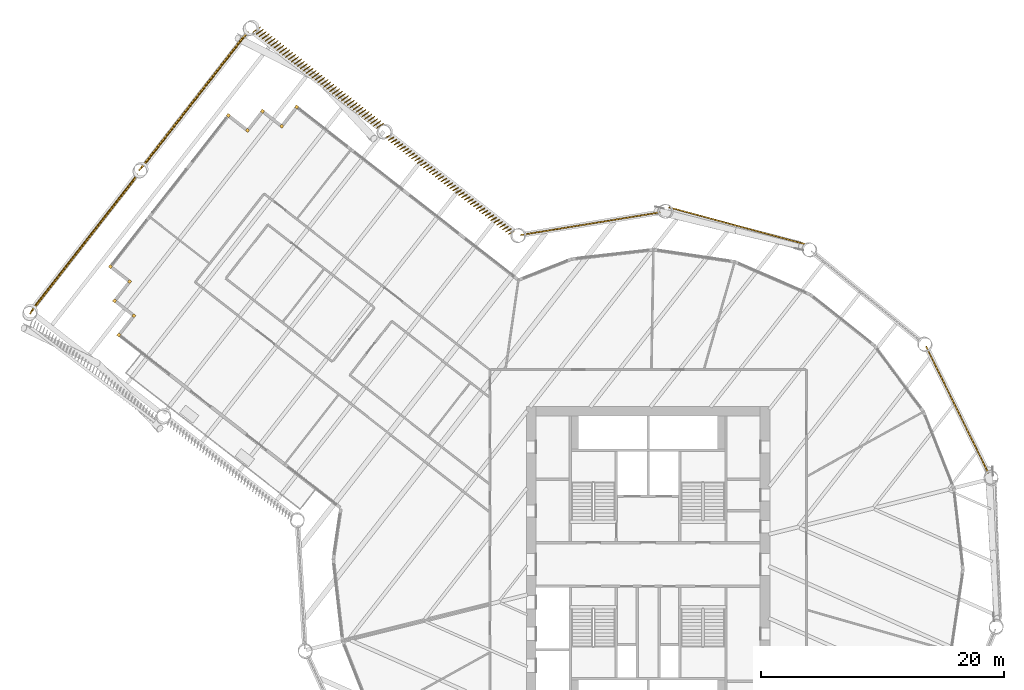
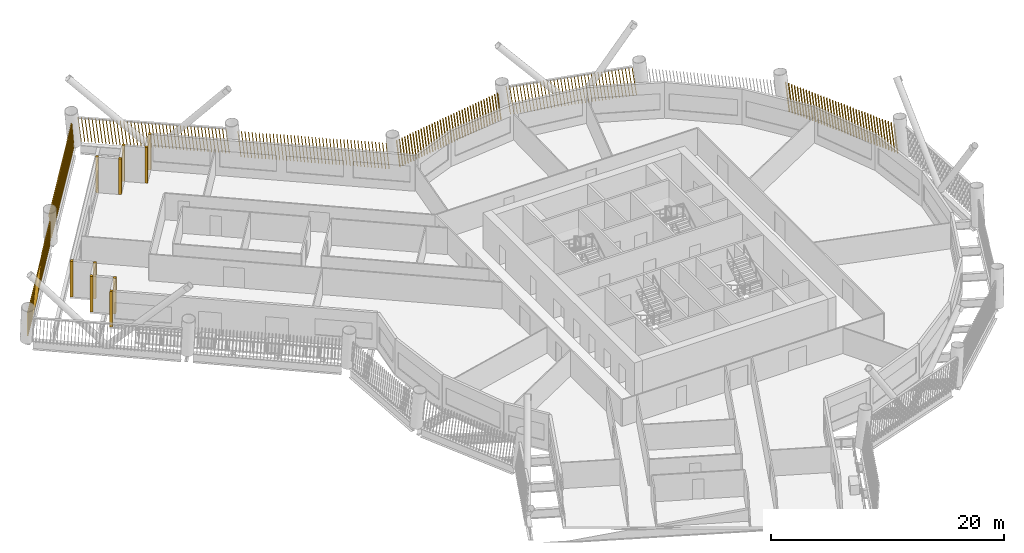
# One storey, part 20 of 22: 17 shading devices.
"""IFC4 building model written with IfcOpenShell, lengths in metres."""

from ifc_helpers import new_model, si_unit, direction, frame, frame_2d, origin, origin_2d, place, context, subcontext, project, spatial, rectangle, composite_profile, extrude, material, type_object, element, save


model = new_model("IFC4")

# Units and contexts
model_context = context("Model", 3, precision=1e-05, world=origin(), true_north=direction((0.0, 1.0)))
body_context = subcontext(model_context, "Body", "Model", "MODEL_VIEW")
ifc_project = project(units=[si_unit("LENGTHUNIT", "METRE"), si_unit("AREAUNIT", "SQUARE_METRE"), si_unit("VOLUMEUNIT", "CUBIC_METRE"), si_unit("PLANEANGLEUNIT", "RADIAN"), si_unit("MASSUNIT", "GRAM", prefix="KILO")], contexts=[model_context])

# Site, building, storey
site_placement = place(None, origin())
site = spatial("IfcSite", under=ifc_project, at=site_placement, CompositionType="ELEMENT")
building_placement = place(site_placement, origin())
building = spatial("IfcBuilding", under=site, at=building_placement, Name="Tarsis Ring Headquarters", CompositionType="ELEMENT")
storey_placement = place(building_placement, frame((0.0, 0.0, 116.199951171875)))
storey = spatial("IfcBuildingStorey", under=building, at=storey_placement, Name="L26", CompositionType="ELEMENT", Elevation=116.199951171875)

# Shading devices
ifc_material = material(Name="Terracotta baguette", Category="masonry")
shading_device_type_1 = type_object("IfcShadingDeviceType", Name="Terracotta baguette screen", PredefinedType="USERDEFINED", material=ifc_material)
shading_device_1_placement = place(storey_placement, frame((27.9599609375, 7.495849609375, 0.0), z_axis=(0.0, 0.0, 1.0), x_axis=(-0.441692892024, 0.897167661422, 0.0)))
element("IfcShadingDevice", 1, at=shading_device_1_placement, inside=storey, type_object=shading_device_type_1, Name="Baguette screen L26-11", ObjectType="Terracotta baguette screen", PredefinedType="USERDEFINED", context=body_context, shape_type="SweptSolid", body=[
    extrude(composite_profile([rectangle(XDim=0.06005859375, YDim=0.1201171875, at=frame_2d((0.030029296875, 0.0))), rectangle(XDim=0.06005859375, YDim=0.1201171875, at=frame_2d((0.33251953125, 0.0))), rectangle(XDim=0.06005859375, YDim=0.1201171875, at=frame_2d((0.634765625, 0.0))), rectangle(XDim=0.06005859375, YDim=0.1201171875, at=frame_2d((0.937255859375, 0.0))), rectangle(XDim=0.06005859375, YDim=0.1201171875, at=frame_2d((1.239501953125, 0.0))), rectangle(XDim=0.06005859375, YDim=0.1201171875, at=frame_2d((1.5419921875, 0.0))), rectangle(XDim=0.06005859375, YDim=0.1201171875, at=frame_2d((1.844482421875, 0.0))), rectangle(XDim=0.06005859375, YDim=0.1201171875, at=frame_2d((2.146728515625, 0.0))), rectangle(XDim=0.06005859375, YDim=0.1201171875, at=frame_2d((2.44921875, 0.0))), rectangle(XDim=0.06005859375, YDim=0.1201171875, at=frame_2d((2.751708984375, 0.0))), rectangle(XDim=0.06005859375, YDim=0.1201171875, at=frame_2d((3.053955078125, 0.0))), rectangle(XDim=0.06005859375, YDim=0.1201171875, at=frame_2d((3.3564453125, 0.0))), rectangle(XDim=0.06005859375, YDim=0.1201171875, at=frame_2d((3.65869140625, 0.0))), rectangle(XDim=0.06005859375, YDim=0.1201171875, at=frame_2d((3.961181640625, 0.0))), rectangle(XDim=0.06005859375, YDim=0.1201171875, at=frame_2d((4.263671875, 0.0))), rectangle(XDim=0.06005859375, YDim=0.1201171875, at=frame_2d((4.56591796875, 0.0))), rectangle(XDim=0.06005859375, YDim=0.1201171875, at=frame_2d((4.868408203125, 0.0))), rectangle(XDim=0.06005859375, YDim=0.1201171875, at=frame_2d((5.1708984375, 0.0))), rectangle(XDim=0.06005859375, YDim=0.1201171875, at=frame_2d((5.47314453125, 0.0))), rectangle(XDim=0.06005859375, YDim=0.1201171875, at=frame_2d((5.775634765625, 0.0))), rectangle(XDim=0.06005859375, YDim=0.1201171875, at=frame_2d((6.077880859375, 0.0))), rectangle(XDim=0.06005859375, YDim=0.1201171875, at=frame_2d((6.38037109375, 0.0))), rectangle(XDim=0.06005859375, YDim=0.1201171875, at=frame_2d((6.682861328125, 0.0))), rectangle(XDim=0.06005859375, YDim=0.1201171875, at=frame_2d((6.985107421875, 0.0))), rectangle(XDim=0.06005859375, YDim=0.1201171875, at=frame_2d((7.28759765625, 0.0))), rectangle(XDim=0.06005859375, YDim=0.1201171875, at=frame_2d((7.590087890625, 0.0))), rectangle(XDim=0.06005859375, YDim=0.1201171875, at=frame_2d((7.892333984375, 0.0))), rectangle(XDim=0.06005859375, YDim=0.1201171875, at=frame_2d((8.19482421875, 0.0))), rectangle(XDim=0.06005859375, YDim=0.1201171875, at=frame_2d((8.4970703125, 0.0))), rectangle(XDim=0.06005859375, YDim=0.1201171875, at=frame_2d((8.799560546875, 0.0))), rectangle(XDim=0.06005859375, YDim=0.1201171875, at=frame_2d((9.10205078125, 0.0))), rectangle(XDim=0.06005859375, YDim=0.1201171875, at=frame_2d((9.404296875, 0.0))), rectangle(XDim=0.06005859375, YDim=0.1201171875, at=frame_2d((9.706787109375, 0.0))), rectangle(XDim=0.06005859375, YDim=0.1201171875, at=frame_2d((10.00927734375, 0.0))), rectangle(XDim=0.06005859375, YDim=0.1201171875, at=frame_2d((10.3115234375, 0.0))), rectangle(XDim=0.06005859375, YDim=0.1201171875, at=frame_2d((10.614013671875, 0.0))), rectangle(XDim=0.06005859375, YDim=0.1201171875, at=frame_2d((10.916259765625, 0.0))), rectangle(XDim=0.06005859375, YDim=0.1201171875, at=frame_2d((11.21875, 0.0)))]), origin(), (0.129810502539, 0.000881944064, 0.991538428708), 2.977783203125),
])
shading_device_2_placement = place(storey_placement, frame((12.9267578125, 26.31103515625, 0.0), z_axis=(0.0, 0.0, 1.0), x_axis=(-0.965447639718, 0.260575149213, 0.0)))
element("IfcShadingDevice", 2, at=shading_device_2_placement, inside=storey, type_object=shading_device_type_1, Name="Baguette screen L26-13", ObjectType="Terracotta baguette screen", PredefinedType="USERDEFINED", context=body_context, shape_type="SweptSolid", body=[
    extrude(composite_profile([rectangle(XDim=0.06005859375, YDim=0.1201171875, at=frame_2d((0.030029296875, 0.0))), rectangle(XDim=0.06005859375, YDim=0.1201171875, at=frame_2d((0.33251953125, 0.0))), rectangle(XDim=0.06005859375, YDim=0.1201171875, at=frame_2d((0.634765625, 0.0))), rectangle(XDim=0.06005859375, YDim=0.1201171875, at=frame_2d((0.937255859375, 0.0))), rectangle(XDim=0.06005859375, YDim=0.1201171875, at=frame_2d((1.239501953125, 0.0))), rectangle(XDim=0.06005859375, YDim=0.1201171875, at=frame_2d((1.5419921875, 0.0))), rectangle(XDim=0.06005859375, YDim=0.1201171875, at=frame_2d((1.844482421875, 0.0))), rectangle(XDim=0.06005859375, YDim=0.1201171875, at=frame_2d((2.146728515625, 0.0))), rectangle(XDim=0.06005859375, YDim=0.1201171875, at=frame_2d((2.44921875, 0.0))), rectangle(XDim=0.06005859375, YDim=0.1201171875, at=frame_2d((2.751708984375, 0.0))), rectangle(XDim=0.06005859375, YDim=0.1201171875, at=frame_2d((3.053955078125, 0.0))), rectangle(XDim=0.06005859375, YDim=0.1201171875, at=frame_2d((3.3564453125, 0.0))), rectangle(XDim=0.06005859375, YDim=0.1201171875, at=frame_2d((3.65869140625, 0.0))), rectangle(XDim=0.06005859375, YDim=0.1201171875, at=frame_2d((3.961181640625, 0.0))), rectangle(XDim=0.06005859375, YDim=0.1201171875, at=frame_2d((4.263671875, 0.0))), rectangle(XDim=0.06005859375, YDim=0.1201171875, at=frame_2d((4.56591796875, 0.0))), rectangle(XDim=0.06005859375, YDim=0.1201171875, at=frame_2d((4.868408203125, 0.0))), rectangle(XDim=0.06005859375, YDim=0.1201171875, at=frame_2d((5.1708984375, 0.0))), rectangle(XDim=0.06005859375, YDim=0.1201171875, at=frame_2d((5.47314453125, 0.0))), rectangle(XDim=0.06005859375, YDim=0.1201171875, at=frame_2d((5.775634765625, 0.0))), rectangle(XDim=0.06005859375, YDim=0.1201171875, at=frame_2d((6.077880859375, 0.0))), rectangle(XDim=0.06005859375, YDim=0.1201171875, at=frame_2d((6.38037109375, 0.0))), rectangle(XDim=0.06005859375, YDim=0.1201171875, at=frame_2d((6.682861328125, 0.0))), rectangle(XDim=0.06005859375, YDim=0.1201171875, at=frame_2d((6.985107421875, 0.0))), rectangle(XDim=0.06005859375, YDim=0.1201171875, at=frame_2d((7.28759765625, 0.0))), rectangle(XDim=0.06005859375, YDim=0.1201171875, at=frame_2d((7.590087890625, 0.0))), rectangle(XDim=0.06005859375, YDim=0.1201171875, at=frame_2d((7.892333984375, 0.0))), rectangle(XDim=0.06005859375, YDim=0.1201171875, at=frame_2d((8.19482421875, 0.0))), rectangle(XDim=0.06005859375, YDim=0.1201171875, at=frame_2d((8.4970703125, 0.0))), rectangle(XDim=0.06005859375, YDim=0.1201171875, at=frame_2d((8.799560546875, 0.0))), rectangle(XDim=0.06005859375, YDim=0.1201171875, at=frame_2d((9.10205078125, 0.0))), rectangle(XDim=0.06005859375, YDim=0.1201171875, at=frame_2d((9.404296875, 0.0))), rectangle(XDim=0.06005859375, YDim=0.1201171875, at=frame_2d((9.706787109375, 0.0))), rectangle(XDim=0.06005859375, YDim=0.1201171875, at=frame_2d((10.00927734375, 0.0))), rectangle(XDim=0.06005859375, YDim=0.1201171875, at=frame_2d((10.3115234375, 0.0))), rectangle(XDim=0.06005859375, YDim=0.1201171875, at=frame_2d((10.614013671875, 0.0))), rectangle(XDim=0.06005859375, YDim=0.1201171875, at=frame_2d((10.916259765625, 0.0))), rectangle(XDim=0.06005859375, YDim=0.1201171875, at=frame_2d((11.21875, 0.0)))]), origin(), (0.131494198684, 0.000896455806, 0.991316534755), 2.978515625),
])
shading_device_3_placement = place(storey_placement, frame((0.99267578125, 28.93017578125, 0.0), z_axis=(0.0, 0.0, 1.0), x_axis=(-0.987021442834, -0.160539109298, 0.0)))
element("IfcShadingDevice", 3, at=shading_device_3_placement, inside=storey, type_object=shading_device_type_1, Name="Baguette screen L26-14", ObjectType="Terracotta baguette screen", PredefinedType="USERDEFINED", context=body_context, shape_type="SweptSolid", body=[
    extrude(composite_profile([rectangle(XDim=0.06005859375, YDim=0.1201171875, at=frame_2d((0.030029296875, 0.0))), rectangle(XDim=0.06005859375, YDim=0.1201171875, at=frame_2d((0.33251953125, 0.0))), rectangle(XDim=0.06005859375, YDim=0.1201171875, at=frame_2d((0.634765625, 0.0))), rectangle(XDim=0.06005859375, YDim=0.1201171875, at=frame_2d((0.937255859375, 0.0))), rectangle(XDim=0.06005859375, YDim=0.1201171875, at=frame_2d((1.239501953125, 0.0))), rectangle(XDim=0.06005859375, YDim=0.1201171875, at=frame_2d((1.5419921875, 0.0))), rectangle(XDim=0.06005859375, YDim=0.1201171875, at=frame_2d((1.844482421875, 0.0))), rectangle(XDim=0.06005859375, YDim=0.1201171875, at=frame_2d((2.146728515625, 0.0))), rectangle(XDim=0.06005859375, YDim=0.1201171875, at=frame_2d((2.44921875, 0.0))), rectangle(XDim=0.06005859375, YDim=0.1201171875, at=frame_2d((2.751708984375, 0.0))), rectangle(XDim=0.06005859375, YDim=0.1201171875, at=frame_2d((3.053955078125, 0.0))), rectangle(XDim=0.06005859375, YDim=0.1201171875, at=frame_2d((3.3564453125, 0.0))), rectangle(XDim=0.06005859375, YDim=0.1201171875, at=frame_2d((3.65869140625, 0.0))), rectangle(XDim=0.06005859375, YDim=0.1201171875, at=frame_2d((3.961181640625, 0.0))), rectangle(XDim=0.06005859375, YDim=0.1201171875, at=frame_2d((4.263671875, 0.0))), rectangle(XDim=0.06005859375, YDim=0.1201171875, at=frame_2d((4.56591796875, 0.0))), rectangle(XDim=0.06005859375, YDim=0.1201171875, at=frame_2d((4.868408203125, 0.0))), rectangle(XDim=0.06005859375, YDim=0.1201171875, at=frame_2d((5.1708984375, 0.0))), rectangle(XDim=0.06005859375, YDim=0.1201171875, at=frame_2d((5.47314453125, 0.0))), rectangle(XDim=0.06005859375, YDim=0.1201171875, at=frame_2d((5.775634765625, 0.0))), rectangle(XDim=0.06005859375, YDim=0.1201171875, at=frame_2d((6.077880859375, 0.0))), rectangle(XDim=0.06005859375, YDim=0.1201171875, at=frame_2d((6.38037109375, 0.0))), rectangle(XDim=0.06005859375, YDim=0.1201171875, at=frame_2d((6.682861328125, 0.0))), rectangle(XDim=0.06005859375, YDim=0.1201171875, at=frame_2d((6.985107421875, 0.0))), rectangle(XDim=0.06005859375, YDim=0.1201171875, at=frame_2d((7.28759765625, 0.0))), rectangle(XDim=0.06005859375, YDim=0.1201171875, at=frame_2d((7.590087890625, 0.0))), rectangle(XDim=0.06005859375, YDim=0.1201171875, at=frame_2d((7.892333984375, 0.0))), rectangle(XDim=0.06005859375, YDim=0.1201171875, at=frame_2d((8.19482421875, 0.0))), rectangle(XDim=0.06005859375, YDim=0.1201171875, at=frame_2d((8.4970703125, 0.0))), rectangle(XDim=0.06005859375, YDim=0.1201171875, at=frame_2d((8.799560546875, 0.0))), rectangle(XDim=0.06005859375, YDim=0.1201171875, at=frame_2d((9.10205078125, 0.0))), rectangle(XDim=0.06005859375, YDim=0.1201171875, at=frame_2d((9.404296875, 0.0))), rectangle(XDim=0.06005859375, YDim=0.1201171875, at=frame_2d((9.706787109375, 0.0))), rectangle(XDim=0.06005859375, YDim=0.1201171875, at=frame_2d((10.00927734375, 0.0))), rectangle(XDim=0.06005859375, YDim=0.1201171875, at=frame_2d((10.3115234375, 0.0))), rectangle(XDim=0.06005859375, YDim=0.1201171875, at=frame_2d((10.614013671875, 0.0))), rectangle(XDim=0.06005859375, YDim=0.1201171875, at=frame_2d((10.916259765625, 0.0))), rectangle(XDim=0.06005859375, YDim=0.1201171875, at=frame_2d((11.21875, 0.0)))]), origin(), (0.1298090794, 0.000884807505, 0.991538612471), 2.977783203125),
])
shading_device_4_placement = place(storey_placement, frame((-10.998046875, 27.3515625, 0.0), z_axis=(0.0, 0.0, 1.0), x_axis=(-0.788445890968, 0.615115332942, 0.0)))
element("IfcShadingDevice", 4, at=shading_device_4_placement, inside=storey, type_object=shading_device_type_1, Name="Baguette screen L26-15", ObjectType="Terracotta baguette screen", PredefinedType="USERDEFINED", context=body_context, shape_type="SweptSolid", body=[
    extrude(composite_profile([rectangle(XDim=0.06005859375, YDim=0.1201171875, at=frame_2d((0.030029296875, 0.0))), rectangle(XDim=0.06005859375, YDim=0.1201171875, at=frame_2d((0.335693359375, 0.0))), rectangle(XDim=0.06005859375, YDim=0.1201171875, at=frame_2d((0.6416015625, 0.0))), rectangle(XDim=0.06005859375, YDim=0.1201171875, at=frame_2d((0.947265625, 0.0))), rectangle(XDim=0.06005859375, YDim=0.1201171875, at=frame_2d((1.253173828125, 0.0))), rectangle(XDim=0.06005859375, YDim=0.1201171875, at=frame_2d((1.558837890625, 0.0))), rectangle(XDim=0.06005859375, YDim=0.1201171875, at=frame_2d((1.864501953125, 0.0))), rectangle(XDim=0.06005859375, YDim=0.1201171875, at=frame_2d((2.17041015625, 0.0))), rectangle(XDim=0.06005859375, YDim=0.1201171875, at=frame_2d((2.47607421875, 0.0))), rectangle(XDim=0.06005859375, YDim=0.1201171875, at=frame_2d((2.781982421875, 0.0))), rectangle(XDim=0.06005859375, YDim=0.1201171875, at=frame_2d((3.087646484375, 0.0))), rectangle(XDim=0.06005859375, YDim=0.1201171875, at=frame_2d((3.393310546875, 0.0))), rectangle(XDim=0.06005859375, YDim=0.1201171875, at=frame_2d((3.69921875, 0.0))), rectangle(XDim=0.06005859375, YDim=0.1201171875, at=frame_2d((4.0048828125, 0.0))), rectangle(XDim=0.06005859375, YDim=0.1201171875, at=frame_2d((4.310791015625, 0.0))), rectangle(XDim=0.06005859375, YDim=0.1201171875, at=frame_2d((4.616455078125, 0.0))), rectangle(XDim=0.06005859375, YDim=0.1201171875, at=frame_2d((4.922119140625, 0.0))), rectangle(XDim=0.06005859375, YDim=0.1201171875, at=frame_2d((5.22802734375, 0.0))), rectangle(XDim=0.06005859375, YDim=0.1201171875, at=frame_2d((5.53369140625, 0.0))), rectangle(XDim=0.06005859375, YDim=0.1201171875, at=frame_2d((5.839599609375, 0.0))), rectangle(XDim=0.06005859375, YDim=0.1201171875, at=frame_2d((6.145263671875, 0.0))), rectangle(XDim=0.06005859375, YDim=0.1201171875, at=frame_2d((6.451171875, 0.0))), rectangle(XDim=0.06005859375, YDim=0.1201171875, at=frame_2d((6.7568359375, 0.0))), rectangle(XDim=0.06005859375, YDim=0.1201171875, at=frame_2d((7.0625, 0.0))), rectangle(XDim=0.06005859375, YDim=0.1201171875, at=frame_2d((7.368408203125, 0.0))), rectangle(XDim=0.06005859375, YDim=0.1201171875, at=frame_2d((7.674072265625, 0.0))), rectangle(XDim=0.06005859375, YDim=0.1201171875, at=frame_2d((7.97998046875, 0.0))), rectangle(XDim=0.06005859375, YDim=0.1201171875, at=frame_2d((8.28564453125, 0.0))), rectangle(XDim=0.06005859375, YDim=0.1201171875, at=frame_2d((8.59130859375, 0.0))), rectangle(XDim=0.06005859375, YDim=0.1201171875, at=frame_2d((8.897216796875, 0.0))), rectangle(XDim=0.06005859375, YDim=0.1201171875, at=frame_2d((9.202880859375, 0.0))), rectangle(XDim=0.06005859375, YDim=0.1201171875, at=frame_2d((9.5087890625, 0.0))), rectangle(XDim=0.06005859375, YDim=0.1201171875, at=frame_2d((9.814453125, 0.0))), rectangle(XDim=0.06005859375, YDim=0.1201171875, at=frame_2d((10.1201171875, 0.0))), rectangle(XDim=0.06005859375, YDim=0.1201171875, at=frame_2d((10.426025390625, 0.0))), rectangle(XDim=0.06005859375, YDim=0.1201171875, at=frame_2d((10.731689453125, 0.0))), rectangle(XDim=0.06005859375, YDim=0.1201171875, at=frame_2d((11.03759765625, 0.0))), rectangle(XDim=0.06005859375, YDim=0.1201171875, at=frame_2d((11.34326171875, 0.0))), rectangle(XDim=0.06005859375, YDim=0.1201171875, at=frame_2d((11.64892578125, 0.0))), rectangle(XDim=0.06005859375, YDim=0.1201171875, at=frame_2d((11.954833984375, 0.0))), rectangle(XDim=0.06005859375, YDim=0.1201171875, at=frame_2d((12.260498046875, 0.0))), rectangle(XDim=0.06005859375, YDim=0.1201171875, at=frame_2d((12.56640625, 0.0))), rectangle(XDim=0.06005859375, YDim=0.1201171875, at=frame_2d((12.8720703125, 0.0)))]), origin(), (0.066364505285, 0.145846292379, 0.987078827368), 2.9912109375),
])
shading_device_5_placement = place(storey_placement, frame((-21.728515625, 36.198486328125, 0.0), z_axis=(0.0, 0.0, 1.0), x_axis=(-0.788430971844, 0.615122615804, 0.0)))
element("IfcShadingDevice", 5, at=shading_device_5_placement, inside=storey, type_object=shading_device_type_1, Name="Baguette screen L26-16", ObjectType="Terracotta baguette screen", PredefinedType="USERDEFINED", context=body_context, shape_type="SweptSolid", body=[
    extrude(composite_profile([rectangle(XDim=0.06005859375, YDim=0.1201171875, at=frame_2d((0.030029296875, 0.0))), rectangle(XDim=0.06005859375, YDim=0.1201171875, at=frame_2d((0.335693359375, 0.0))), rectangle(XDim=0.06005859375, YDim=0.1201171875, at=frame_2d((0.6416015625, 0.0))), rectangle(XDim=0.06005859375, YDim=0.1201171875, at=frame_2d((0.947265625, 0.0))), rectangle(XDim=0.06005859375, YDim=0.1201171875, at=frame_2d((1.253173828125, 0.0))), rectangle(XDim=0.06005859375, YDim=0.1201171875, at=frame_2d((1.558837890625, 0.0))), rectangle(XDim=0.06005859375, YDim=0.1201171875, at=frame_2d((1.864501953125, 0.0))), rectangle(XDim=0.06005859375, YDim=0.1201171875, at=frame_2d((2.17041015625, 0.0))), rectangle(XDim=0.06005859375, YDim=0.1201171875, at=frame_2d((2.47607421875, 0.0))), rectangle(XDim=0.06005859375, YDim=0.1201171875, at=frame_2d((2.781982421875, 0.0))), rectangle(XDim=0.06005859375, YDim=0.1201171875, at=frame_2d((3.087646484375, 0.0))), rectangle(XDim=0.06005859375, YDim=0.1201171875, at=frame_2d((3.393310546875, 0.0))), rectangle(XDim=0.06005859375, YDim=0.1201171875, at=frame_2d((3.69921875, 0.0))), rectangle(XDim=0.06005859375, YDim=0.1201171875, at=frame_2d((4.0048828125, 0.0))), rectangle(XDim=0.06005859375, YDim=0.1201171875, at=frame_2d((4.310791015625, 0.0))), rectangle(XDim=0.06005859375, YDim=0.1201171875, at=frame_2d((4.616455078125, 0.0))), rectangle(XDim=0.06005859375, YDim=0.1201171875, at=frame_2d((4.922119140625, 0.0))), rectangle(XDim=0.06005859375, YDim=0.1201171875, at=frame_2d((5.22802734375, 0.0))), rectangle(XDim=0.06005859375, YDim=0.1201171875, at=frame_2d((5.53369140625, 0.0))), rectangle(XDim=0.06005859375, YDim=0.1201171875, at=frame_2d((5.839599609375, 0.0))), rectangle(XDim=0.06005859375, YDim=0.1201171875, at=frame_2d((6.145263671875, 0.0))), rectangle(XDim=0.06005859375, YDim=0.1201171875, at=frame_2d((6.451171875, 0.0))), rectangle(XDim=0.06005859375, YDim=0.1201171875, at=frame_2d((6.7568359375, 0.0))), rectangle(XDim=0.06005859375, YDim=0.1201171875, at=frame_2d((7.0625, 0.0))), rectangle(XDim=0.06005859375, YDim=0.1201171875, at=frame_2d((7.368408203125, 0.0))), rectangle(XDim=0.06005859375, YDim=0.1201171875, at=frame_2d((7.674072265625, 0.0))), rectangle(XDim=0.06005859375, YDim=0.1201171875, at=frame_2d((7.97998046875, 0.0))), rectangle(XDim=0.06005859375, YDim=0.1201171875, at=frame_2d((8.28564453125, 0.0))), rectangle(XDim=0.06005859375, YDim=0.1201171875, at=frame_2d((8.59130859375, 0.0))), rectangle(XDim=0.06005859375, YDim=0.1201171875, at=frame_2d((8.897216796875, 0.0))), rectangle(XDim=0.06005859375, YDim=0.1201171875, at=frame_2d((9.202880859375, 0.0))), rectangle(XDim=0.06005859375, YDim=0.1201171875, at=frame_2d((9.5087890625, 0.0))), rectangle(XDim=0.06005859375, YDim=0.1201171875, at=frame_2d((9.814453125, 0.0))), rectangle(XDim=0.06005859375, YDim=0.1201171875, at=frame_2d((10.1201171875, 0.0))), rectangle(XDim=0.06005859375, YDim=0.1201171875, at=frame_2d((10.426025390625, 0.0))), rectangle(XDim=0.06005859375, YDim=0.1201171875, at=frame_2d((10.731689453125, 0.0))), rectangle(XDim=0.06005859375, YDim=0.1201171875, at=frame_2d((11.03759765625, 0.0))), rectangle(XDim=0.06005859375, YDim=0.1201171875, at=frame_2d((11.34326171875, 0.0))), rectangle(XDim=0.06005859375, YDim=0.1201171875, at=frame_2d((11.64892578125, 0.0))), rectangle(XDim=0.06005859375, YDim=0.1201171875, at=frame_2d((11.954833984375, 0.0))), rectangle(XDim=0.06005859375, YDim=0.1201171875, at=frame_2d((12.260498046875, 0.0))), rectangle(XDim=0.06005859375, YDim=0.1201171875, at=frame_2d((12.56640625, 0.0))), rectangle(XDim=0.06005859375, YDim=0.1201171875, at=frame_2d((12.8720703125, 0.0)))]), origin(), (0.066884258353, 0.206799050279, 0.976094590082), 3.02490234375),
])
shading_device_6_placement = place(storey_placement, frame((-32.83349609375, 43.752685546875, 0.0), z_axis=(0.0, 0.0, 1.0), x_axis=(-0.615108359133, -0.788447589562, 0.0)))
element("IfcShadingDevice", 6, at=shading_device_6_placement, inside=storey, type_object=shading_device_type_1, Name="Baguette screen L26-17", ObjectType="Terracotta baguette screen", PredefinedType="USERDEFINED", context=body_context, shape_type="SweptSolid", body=[
    extrude(composite_profile([rectangle(XDim=0.06005859375, YDim=0.1201171875, at=frame_2d((0.030029296875, 0.0))), rectangle(XDim=0.06005859375, YDim=0.1201171875, at=frame_2d((0.33544921875, 0.0))), rectangle(XDim=0.06005859375, YDim=0.1201171875, at=frame_2d((0.640625, 0.0))), rectangle(XDim=0.06005859375, YDim=0.1201171875, at=frame_2d((0.946044921875, 0.0))), rectangle(XDim=0.06005859375, YDim=0.1201171875, at=frame_2d((1.25146484375, 0.0))), rectangle(XDim=0.06005859375, YDim=0.1201171875, at=frame_2d((1.556640625, 0.0))), rectangle(XDim=0.06005859375, YDim=0.1201171875, at=frame_2d((1.862060546875, 0.0))), rectangle(XDim=0.06005859375, YDim=0.1201171875, at=frame_2d((2.16748046875, 0.0))), rectangle(XDim=0.06005859375, YDim=0.1201171875, at=frame_2d((2.47265625, 0.0))), rectangle(XDim=0.06005859375, YDim=0.1201171875, at=frame_2d((2.778076171875, 0.0))), rectangle(XDim=0.06005859375, YDim=0.1201171875, at=frame_2d((3.08349609375, 0.0))), rectangle(XDim=0.06005859375, YDim=0.1201171875, at=frame_2d((3.388671875, 0.0))), rectangle(XDim=0.06005859375, YDim=0.1201171875, at=frame_2d((3.694091796875, 0.0))), rectangle(XDim=0.06005859375, YDim=0.1201171875, at=frame_2d((3.99951171875, 0.0))), rectangle(XDim=0.06005859375, YDim=0.1201171875, at=frame_2d((4.3046875, 0.0))), rectangle(XDim=0.06005859375, YDim=0.1201171875, at=frame_2d((4.610107421875, 0.0))), rectangle(XDim=0.06005859375, YDim=0.1201171875, at=frame_2d((4.91552734375, 0.0))), rectangle(XDim=0.06005859375, YDim=0.1201171875, at=frame_2d((5.220703125, 0.0))), rectangle(XDim=0.06005859375, YDim=0.1201171875, at=frame_2d((5.526123046875, 0.0))), rectangle(XDim=0.06005859375, YDim=0.1201171875, at=frame_2d((5.83154296875, 0.0))), rectangle(XDim=0.06005859375, YDim=0.1201171875, at=frame_2d((6.13671875, 0.0))), rectangle(XDim=0.06005859375, YDim=0.1201171875, at=frame_2d((6.442138671875, 0.0))), rectangle(XDim=0.06005859375, YDim=0.1201171875, at=frame_2d((6.74755859375, 0.0))), rectangle(XDim=0.06005859375, YDim=0.1201171875, at=frame_2d((7.052734375, 0.0))), rectangle(XDim=0.06005859375, YDim=0.1201171875, at=frame_2d((7.358154296875, 0.0))), rectangle(XDim=0.06005859375, YDim=0.1201171875, at=frame_2d((7.66357421875, 0.0))), rectangle(XDim=0.06005859375, YDim=0.1201171875, at=frame_2d((7.96875, 0.0))), rectangle(XDim=0.06005859375, YDim=0.1201171875, at=frame_2d((8.274169921875, 0.0))), rectangle(XDim=0.06005859375, YDim=0.1201171875, at=frame_2d((8.57958984375, 0.0))), rectangle(XDim=0.06005859375, YDim=0.1201171875, at=frame_2d((8.884765625, 0.0))), rectangle(XDim=0.06005859375, YDim=0.1201171875, at=frame_2d((9.190185546875, 0.0))), rectangle(XDim=0.06005859375, YDim=0.1201171875, at=frame_2d((9.49560546875, 0.0))), rectangle(XDim=0.06005859375, YDim=0.1201171875, at=frame_2d((9.80078125, 0.0))), rectangle(XDim=0.06005859375, YDim=0.1201171875, at=frame_2d((10.106201171875, 0.0))), rectangle(XDim=0.06005859375, YDim=0.1201171875, at=frame_2d((10.41162109375, 0.0))), rectangle(XDim=0.06005859375, YDim=0.1201171875, at=frame_2d((10.716796875, 0.0))), rectangle(XDim=0.06005859375, YDim=0.1201171875, at=frame_2d((11.022216796875, 0.0))), rectangle(XDim=0.06005859375, YDim=0.1201171875, at=frame_2d((11.32763671875, 0.0))), rectangle(XDim=0.06005859375, YDim=0.1201171875, at=frame_2d((11.6328125, 0.0))), rectangle(XDim=0.06005859375, YDim=0.1201171875, at=frame_2d((11.938232421875, 0.0))), rectangle(XDim=0.06005859375, YDim=0.1201171875, at=frame_2d((12.24365234375, 0.0))), rectangle(XDim=0.06005859375, YDim=0.1201171875, at=frame_2d((12.548828125, 0.0))), rectangle(XDim=0.06005859375, YDim=0.1201171875, at=frame_2d((12.854248046875, 0.0))), rectangle(XDim=0.06005859375, YDim=0.1201171875, at=frame_2d((13.15966796875, 0.0))), rectangle(XDim=0.06005859375, YDim=0.1201171875, at=frame_2d((13.46484375, 0.0))), rectangle(XDim=0.06005859375, YDim=0.1201171875, at=frame_2d((13.770263671875, 0.0)))]), origin(), (0.236623264394, -0.031524080482, 0.971089935638), 3.04052734375),
])
shading_device_7_placement = place(storey_placement, frame((-41.937255859375, 32.083740234375, 0.0), z_axis=(0.0, 0.0, 1.0), x_axis=(-0.615108359133, -0.788447589562, 0.0)))
element("IfcShadingDevice", 7, at=shading_device_7_placement, inside=storey, type_object=shading_device_type_1, Name="Baguette screen L26-18", ObjectType="Terracotta baguette screen", PredefinedType="USERDEFINED", context=body_context, shape_type="SweptSolid", body=[
    extrude(composite_profile([rectangle(XDim=0.06005859375, YDim=0.1201171875, at=frame_2d((0.030029296875, 0.0))), rectangle(XDim=0.06005859375, YDim=0.1201171875, at=frame_2d((0.33544921875, 0.0))), rectangle(XDim=0.06005859375, YDim=0.1201171875, at=frame_2d((0.640625, 0.0))), rectangle(XDim=0.06005859375, YDim=0.1201171875, at=frame_2d((0.946044921875, 0.0))), rectangle(XDim=0.06005859375, YDim=0.1201171875, at=frame_2d((1.25146484375, 0.0))), rectangle(XDim=0.06005859375, YDim=0.1201171875, at=frame_2d((1.556640625, 0.0))), rectangle(XDim=0.06005859375, YDim=0.1201171875, at=frame_2d((1.862060546875, 0.0))), rectangle(XDim=0.06005859375, YDim=0.1201171875, at=frame_2d((2.16748046875, 0.0))), rectangle(XDim=0.06005859375, YDim=0.1201171875, at=frame_2d((2.47265625, 0.0))), rectangle(XDim=0.06005859375, YDim=0.1201171875, at=frame_2d((2.778076171875, 0.0))), rectangle(XDim=0.06005859375, YDim=0.1201171875, at=frame_2d((3.08349609375, 0.0))), rectangle(XDim=0.06005859375, YDim=0.1201171875, at=frame_2d((3.388671875, 0.0))), rectangle(XDim=0.06005859375, YDim=0.1201171875, at=frame_2d((3.694091796875, 0.0))), rectangle(XDim=0.06005859375, YDim=0.1201171875, at=frame_2d((3.99951171875, 0.0))), rectangle(XDim=0.06005859375, YDim=0.1201171875, at=frame_2d((4.3046875, 0.0))), rectangle(XDim=0.06005859375, YDim=0.1201171875, at=frame_2d((4.610107421875, 0.0))), rectangle(XDim=0.06005859375, YDim=0.1201171875, at=frame_2d((4.91552734375, 0.0))), rectangle(XDim=0.06005859375, YDim=0.1201171875, at=frame_2d((5.220703125, 0.0))), rectangle(XDim=0.06005859375, YDim=0.1201171875, at=frame_2d((5.526123046875, 0.0))), rectangle(XDim=0.06005859375, YDim=0.1201171875, at=frame_2d((5.83154296875, 0.0))), rectangle(XDim=0.06005859375, YDim=0.1201171875, at=frame_2d((6.13671875, 0.0))), rectangle(XDim=0.06005859375, YDim=0.1201171875, at=frame_2d((6.442138671875, 0.0))), rectangle(XDim=0.06005859375, YDim=0.1201171875, at=frame_2d((6.74755859375, 0.0))), rectangle(XDim=0.06005859375, YDim=0.1201171875, at=frame_2d((7.052734375, 0.0))), rectangle(XDim=0.06005859375, YDim=0.1201171875, at=frame_2d((7.358154296875, 0.0))), rectangle(XDim=0.06005859375, YDim=0.1201171875, at=frame_2d((7.66357421875, 0.0))), rectangle(XDim=0.06005859375, YDim=0.1201171875, at=frame_2d((7.96875, 0.0))), rectangle(XDim=0.06005859375, YDim=0.1201171875, at=frame_2d((8.274169921875, 0.0))), rectangle(XDim=0.06005859375, YDim=0.1201171875, at=frame_2d((8.57958984375, 0.0))), rectangle(XDim=0.06005859375, YDim=0.1201171875, at=frame_2d((8.884765625, 0.0))), rectangle(XDim=0.06005859375, YDim=0.1201171875, at=frame_2d((9.190185546875, 0.0))), rectangle(XDim=0.06005859375, YDim=0.1201171875, at=frame_2d((9.49560546875, 0.0))), rectangle(XDim=0.06005859375, YDim=0.1201171875, at=frame_2d((9.80078125, 0.0))), rectangle(XDim=0.06005859375, YDim=0.1201171875, at=frame_2d((10.106201171875, 0.0))), rectangle(XDim=0.06005859375, YDim=0.1201171875, at=frame_2d((10.41162109375, 0.0))), rectangle(XDim=0.06005859375, YDim=0.1201171875, at=frame_2d((10.716796875, 0.0))), rectangle(XDim=0.06005859375, YDim=0.1201171875, at=frame_2d((11.022216796875, 0.0))), rectangle(XDim=0.06005859375, YDim=0.1201171875, at=frame_2d((11.32763671875, 0.0))), rectangle(XDim=0.06005859375, YDim=0.1201171875, at=frame_2d((11.6328125, 0.0))), rectangle(XDim=0.06005859375, YDim=0.1201171875, at=frame_2d((11.938232421875, 0.0))), rectangle(XDim=0.06005859375, YDim=0.1201171875, at=frame_2d((12.24365234375, 0.0))), rectangle(XDim=0.06005859375, YDim=0.1201171875, at=frame_2d((12.548828125, 0.0))), rectangle(XDim=0.06005859375, YDim=0.1201171875, at=frame_2d((12.854248046875, 0.0))), rectangle(XDim=0.06005859375, YDim=0.1201171875, at=frame_2d((13.15966796875, 0.0))), rectangle(XDim=0.06005859375, YDim=0.1201171875, at=frame_2d((13.46484375, 0.0))), rectangle(XDim=0.06005859375, YDim=0.1201171875, at=frame_2d((13.770263671875, 0.0)))]), origin(), (0.23617252369, 0.03473916438, 0.971089969834), 3.04052734375),
])
shading_device_type_2 = type_object("IfcShadingDeviceType", Name="Terracotta corner baguette 250x250", PredefinedType="USERDEFINED", material=ifc_material)
for number, where, z_axis, x_axis, name in (
    (8, (-43.47412109375, 18.85546875, 0.0), (0.0, 0.0, 1.0), (-0.615111327659, -0.788440266974, 0.0), "Corner baguette L26-01"),
    (9, (-28.865234375, 37.5810546875, 0.0), (0.0, 0.0, 1.0), (-0.788440395803, 0.615111162528, 0.0), "Corner baguette L26-32"),
    (10, (-30.095458984375, 36.004150390625, 0.0), (0.0, 0.0, 1.0), (-0.615111011158, -0.788440513896, 0.0), "Corner baguette L26-33"),
    (11, (-31.67236328125, 37.234375, 0.0), (0.0, 0.0, 1.0), (-0.788440266974, 0.615111327659, 0.0), "Corner baguette L26-34"),
    (12, (-32.902587890625, 35.657470703125, 0.0), (0.0, 0.0, 1.0), (-0.615111327659, -0.788440266974, 0.0), "Corner baguette L26-35"),
    (13, (-34.4794921875, 36.8876953125, 0.0), (0.0, 0.0, 1.0), (-0.788440320653, 0.615111258854, 0.0), "Corner baguette L26-36"),
    (14, (-44.16748046875, 24.4697265625, 0.0), (0.0, 0.0, 1.0), (-0.615111217571, -0.78844035286, 0.0), "Corner baguette L26-37"),
    (15, (-42.590576171875, 23.239501953125, 0.0), (0.0, 0.0, 1.0), (0.788440084467, -0.615111561593, 0.0), "Corner baguette L26-38"),
    (16, (-43.82080078125, 21.66259765625, 0.0), (0.0, 0.0, 1.0), (-0.615110694658, -0.788440760817, 0.0), "Corner baguette L26-39"),
    (17, (-42.243896484375, 20.432373046875, 0.0), (0.0, 0.0, 1.0), (0.788440320653, -0.615111258854, 0.0), "Corner baguette L26-40"),
):
    element("IfcShadingDevice", number, at=place(storey_placement, frame(where, z_axis=z_axis, x_axis=x_axis)), inside=storey, type_object=shading_device_type_2, Name=name, ObjectType="Terracotta corner baguette", PredefinedType="USERDEFINED", context=body_context, shape_type="SweptSolid", body=[
        extrude(rectangle(XDim=0.25, YDim=0.25, at=origin_2d()), origin(), (0.0, 0.0, 1.0), 3.739990234375),
    ])

save(model, "model.ifc")
